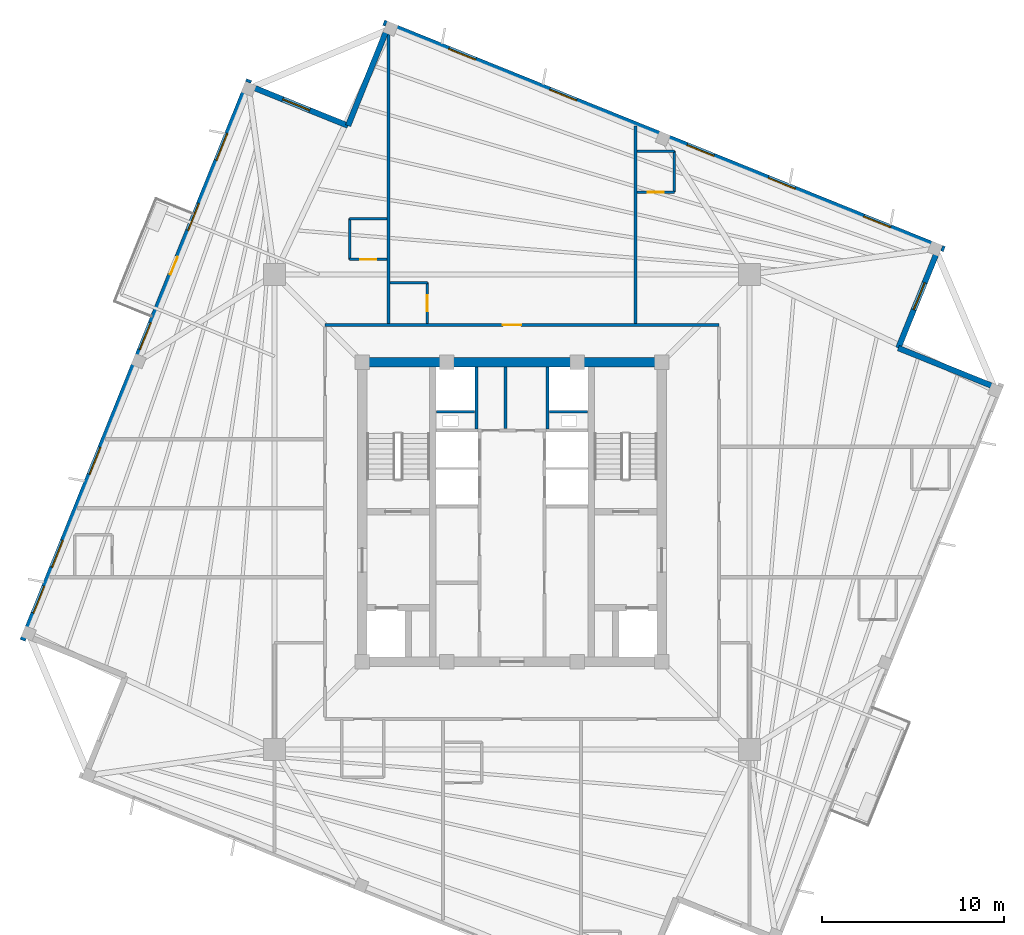
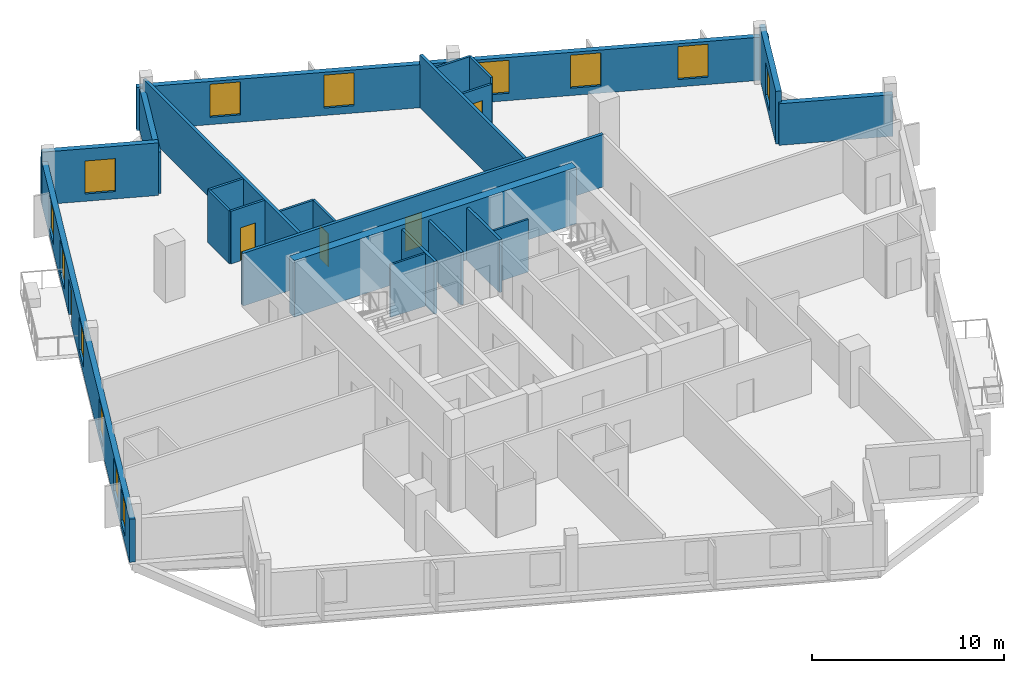
# One storey, part 5 of 9: 23 walls, 13 windows, 5 doors, 18 openings.
"""IFC4 building model written with IfcOpenShell, lengths in metres."""

from ifc_helpers import new_model, si_unit, direction, frame, frame_2d, origin, place, context, subcontext, project, spatial, rectangle, extrude, source, transform, mapped, material, layer, layer_set, type_object, element, fill, save


model = new_model("IFC4")

# Units and contexts
model_context = context("Model", 3, precision=1e-05, world=origin(), true_north=direction((0.0, 1.0)))
body_context = subcontext(model_context, "Body", "Model", "MODEL_VIEW")
ifc_project = project(units=[si_unit("LENGTHUNIT", "METRE"), si_unit("AREAUNIT", "SQUARE_METRE"), si_unit("VOLUMEUNIT", "CUBIC_METRE"), si_unit("PLANEANGLEUNIT", "RADIAN"), si_unit("MASSUNIT", "GRAM", prefix="KILO"), si_unit("THERMODYNAMICTEMPERATUREUNIT", "KELVIN")], contexts=[model_context])

# Site, building, storey
site_placement = place(None, origin())
site = spatial("IfcSite", under=ifc_project, at=site_placement, CompositionType="ELEMENT")
building_placement = place(site_placement, origin())
building = spatial("IfcBuilding", under=site, at=building_placement, Name="Kosmvard Interchange Tower", CompositionType="ELEMENT")
storey_placement = place(building_placement, frame((0.0, 0.0, 272.39990234375)))
storey = spatial("IfcBuildingStorey", under=building, at=storey_placement, Name="L66", CompositionType="ELEMENT", Elevation=272.39990234375)

# Walls
ifc_material_1 = material(Name="Fire-rated gypsum partition system")
ifc_layer_1 = layer(ifc_material_1, 0.159912109375, Name="Fire-rated gypsum partition system")
ifc_layer_set_1 = layer_set([ifc_layer_1], Name="Fire-rated gypsum partition system")
wall_type_1 = type_object("IfcWallType", Name="Core Compartment & Shuttle Lobby Partition 160", PredefinedType="PARTITIONING", material=ifc_layer_set_1)
for number, where, z_axis, x_axis, name in (
    (1, (-1.9599609375, 4.580078125, 0.0), (0.0, 0.0, 1.0), (0.0, 1.0, 0.0), "L66 North Core West Wall"),
    (2, (1.9599609375, 4.580078125, 0.0), (0.0, 0.0, 1.0), (0.0, 1.0, 0.0), "L66 North Core East Wall"),
):
    element("IfcWall", number, at=place(storey_placement, frame(where, z_axis=z_axis, x_axis=x_axis)), inside=storey, type_object=wall_type_1, Name=name, PredefinedType="PARTITIONING", context=body_context, shape_type="SweptSolid", body=[
        extrude(rectangle(XDim=3.39990234375, YDim=0.159912109375, at=frame_2d((1.699951171875, 0.0))), origin(), (0.0, 0.0, 1.0), 3.35009765625),
    ])
ifc_material_2 = material(Name="Concrete blockwork masonry", Category="masonry")
ifc_layer_2 = layer(ifc_material_2, 0.159912109375, Name="Concrete blockwork masonry")
ifc_layer_set_2 = layer_set([ifc_layer_2], Name="Concrete blockwork masonry")
wall_type_2 = type_object("IfcWallType", Name="Core Enclosure Split Wall 160", PredefinedType="PARTITIONING", material=ifc_layer_set_2)
wall_1_placement = place(storey_placement, frame((-0.35009765625, 4.60009765625, 0.0), z_axis=(0.0, 0.0, 1.0), x_axis=(0.0, 1.0, 0.0)))
element("IfcWall", 3, at=wall_1_placement, inside=storey, type_object=wall_type_2, Name="L66 Core K2 Split Wall", PredefinedType="PARTITIONING", context=body_context, shape_type="SweptSolid", body=[
    extrude(rectangle(XDim=3.3798828125, YDim=0.159912109375, at=frame_2d((1.68994140625, 0.0))), origin(), (0.0, 0.0, 1.0), 3.35009765625),
])

# Wall, opening, door
ifc_layer_3 = layer(ifc_material_1, 0.179931640625, Name="Fire-rated gypsum partition system")
ifc_layer_set_3 = layer_set([ifc_layer_3], Name="Fire-rated gypsum partition system")
wall_type_3 = type_object("IfcWallType", Name="Corridor & Hotel Compartment Partition 180", PredefinedType="PARTITIONING", material=ifc_layer_set_3)
wall_2_placement = place(storey_placement, frame((-10.300048828125, 10.300048828125, 0.0), z_axis=(0.0, 0.0, 1.0), x_axis=(1.0, 0.0, 0.0)))
wall_2 = element("IfcWall", 4, at=wall_2_placement, inside=storey, type_object=wall_type_3, Name="L66 Corridor Wall CN", PredefinedType="PARTITIONING", context=body_context, shape_type="SweptSolid", body=[
    extrude(rectangle(XDim=21.699951171875, YDim=0.179931640625, at=frame_2d((10.85009765625, 0.0))), origin(), (0.0, 0.0, 1.0), 3.35009765625),
])
opening_1_placement = place(wall_2_placement, frame((9.800048828125, 0.0, 0.0)))
opening_1 = element("IfcOpeningElement", 5, at=opening_1_placement, cuts=wall_2, Name="Opening L66-D05", PredefinedType="OPENING", context=body_context, shape_type="SweptSolid", body=[
    extrude(rectangle(XDim=1.0, YDim=2.14990234375, at=frame_2d((0.5, 1.074951171875))), frame((0.0, 0.10009765625, 0.0), z_axis=(0.0, -1.0, 0.0), x_axis=(1.0, 0.0, 0.0)), (0.0, 0.0, 1.0), 0.199951171875),
])
ifc_material_3 = material(Name="Engineered oak fire-rated timber", Category="wood")
door_type_1 = type_object("IfcDoorType", Name="Hotel Guestroom Entrance Door 1000x2150 EI60", OperationType="NOTDEFINED", PredefinedType="DOOR", material=ifc_material_3)
shared_shape_1 = source(origin(), body_context, "Body", "SweptSolid", [
    extrude(rectangle(XDim=1.0, YDim=2.14990234375, at=frame_2d((0.5, 1.074951171875))), frame((0.0, 0.02490234375, 0.0), z_axis=(0.0, -1.0, 0.0), x_axis=(1.0, 0.0, 0.0)), (0.0, 0.0, 1.0), 0.050048828125),
])
door_1_placement = place(opening_1_placement, origin())
door_1 = element("IfcDoor", 6, at=door_1_placement, inside=storey, type_object=door_type_1, Name="L66 Hotel Twin Junior Suite 1 Door", OperationType="SINGLE_SWING_LEFT", OverallHeight=2.14990234375, OverallWidth=1.0, PredefinedType="DOOR", context=body_context, shape_type="MappedRepresentation", body=[
    mapped(shared_shape_1, transform((0.0, 0.0, 0.0), scale=1.0)),
])
fill(opening_1, door_1)

# Walls
wall_3_placement = place(storey_placement, frame((-6.800048828125, 10.39501953125, 0.0), z_axis=(0.0, 0.0, 1.0), x_axis=(0.0, 1.0, 0.0)))
element("IfcWall", 7, at=wall_3_placement, inside=storey, type_object=wall_type_3, Name="L66 Room Partition 01.1", PredefinedType="PARTITIONING", context=body_context, shape_type="SweptSolid", body=[
    extrude(rectangle(XDim=16.16650390625, YDim=0.179931640625, at=frame_2d((8.083251953125, 0.0))), origin(), (0.0, 0.0, 1.0), 3.35009765625),
])
wall_4_placement = place(storey_placement, frame((6.800048828125, 10.39501953125, 0.0), z_axis=(0.0, 0.0, 1.0), x_axis=(0.0, 1.0, 0.0)))
element("IfcWall", 8, at=wall_4_placement, inside=storey, type_object=wall_type_3, Name="L66 Room Partition 02.1", PredefinedType="PARTITIONING", context=body_context, shape_type="SweptSolid", body=[
    extrude(rectangle(XDim=10.8603515625, YDim=0.179931640625, at=frame_2d((5.43017578125, 0.0))), origin(), (0.0, 0.0, 1.0), 3.35009765625),
])
ifc_material_4 = material(Name="Fire-rated gypsum shaftwall system")
ifc_layer_4 = layer(ifc_material_4, 0.1201171875, Name="Fire-rated gypsum shaftwall system")
ifc_layer_set_4 = layer_set([ifc_layer_4], Name="Fire-rated gypsum shaftwall system")
wall_type_4 = type_object("IfcWallType", Name="Shaft & Riser Fire Partition 120 EI60", PredefinedType="PARTITIONING", material=ifc_layer_set_4)
for number, where, z_axis, x_axis, name in (
    (9, (-4.159912109375, 5.52001953125, 0.0), (0.0, 0.0, 1.0), (1.0, 0.0, 0.0), "L66 Riser Shaft Divider W"),
    (10, (2.06005859375, 5.52001953125, 0.0), (0.0, 0.0, 1.0), (1.0, 0.0, 0.0), "L66 Riser Shaft Divider E"),
):
    element("IfcWall", number, at=place(storey_placement, frame(where, z_axis=z_axis, x_axis=x_axis)), inside=storey, type_object=wall_type_4, Name=name, PredefinedType="PARTITIONING", context=body_context, shape_type="SweptSolid", body=[
        extrude(rectangle(XDim=2.099853515625, YDim=0.1201171875, at=frame_2d((1.0498046875, 0.0))), origin(), (0.0, 0.0, 1.0), 3.35009765625),
    ])
ifc_material_5 = material(Name="Concrete C60/75", Category="concrete")
ifc_layer_5 = layer(ifc_material_5, 0.5, Name="Concrete C60/75")
ifc_layer_set_5 = layer_set([ifc_layer_5], Name="Concrete C60/75")
wall_type_5 = type_object("IfcWallType", Name="Upper Core Shear Wall 500 C60/75", PredefinedType="SHEAR", material=ifc_layer_set_5)
wall_5_placement = place(storey_placement, frame((-8.5, 8.25, 0.0), z_axis=(0.0, 0.0, 1.0), x_axis=(1.0, 0.0, 0.0)))
element("IfcWall", 11, at=wall_5_placement, inside=storey, type_object=wall_type_5, Name="L66 Core Shear Wall CW-N", PredefinedType="SHEAR", context=body_context, shape_type="SweptSolid", body=[
    extrude(rectangle(XDim=17.0, YDim=0.5, at=frame_2d((8.5, 0.0))), origin(), (0.0, 0.0, 1.0), 3.60009765625),
])
ifc_material_6 = material(Name="Precast concrete C45/55", Category="concrete")
ifc_layer_6 = layer(ifc_material_6, 0.31005859375, Name="Precast concrete C45/55")
ifc_layer_set_6 = layer_set([ifc_layer_6], Name="Precast concrete C45/55")
wall_type_6 = type_object("IfcWallType", Name="Upper Tower Precast Pier Wall 310 C45/55", PredefinedType="STANDARD", material=ifc_layer_set_6)
wall_6_placement = place(storey_placement, frame((26.8408203125, 6.7841796875, 0.0), z_axis=(0.0, 0.0, 1.0), x_axis=(-0.927171722085, 0.374636620962, 0.0)))
element("IfcWall", 12, at=wall_6_placement, inside=storey, type_object=wall_type_6, Name="L66 Precast Facade Wall N-SE1", PredefinedType="STANDARD", context=body_context, shape_type="SweptSolid", body=[
    extrude(rectangle(XDim=6.0, YDim=0.31005859375, at=frame_2d((3.0, 0.0))), origin(), (0.0, 0.0, 1.0), 2.650146484375),
])

# Wall, opening, window
wall_7_placement = place(storey_placement, frame((21.27783203125, 9.031982421875, 0.0), z_axis=(0.0, 0.0, 1.0), x_axis=(0.374602739196, 0.927185411764, 0.0)))
wall_7 = element("IfcWall", 13, at=wall_7_placement, inside=storey, type_object=wall_type_6, Name="L66 Precast Facade Wall N-SE2", PredefinedType="STANDARD", context=body_context, shape_type="SweptSolid", body=[
    extrude(rectangle(XDim=6.155029296875, YDim=0.31005859375, at=frame_2d((3.07763671875, 0.0))), origin(), (0.0, 0.0, 1.0), 3.35009765625),
])
opening_2_placement = place(wall_7_placement, frame((2.277587890625, 0.0, 0.469970703125)))
opening_2 = element("IfcOpeningElement", 14, at=opening_2_placement, cuts=wall_7, Name="Opening L66-W21", PredefinedType="OPENING", context=body_context, shape_type="SweptSolid", body=[
    extrude(rectangle(XDim=1.60009765625, YDim=2.10009765625, at=frame_2d((0.800048828125, 1.050048828125))), frame((0.0, 0.1650390625, 0.0), z_axis=(0.0, -1.0, 0.0), x_axis=(1.0, 0.0, 0.0)), (0.0, 0.0, 1.0), 0.330078125),
])
ifc_material_7 = material(Name="Low-E acoustic double glazing", Category="glass")
window_type = type_object("IfcWindowType", Name="Zone 5 Hotel Punched Window 1600x2100", PartitioningType="SINGLE_PANEL", PredefinedType="WINDOW", material=ifc_material_7)
shared_shape_2 = source(origin(), body_context, "Body", "SweptSolid", [
    extrude(rectangle(XDim=1.60009765625, YDim=2.10009765625, at=frame_2d((0.800048828125, 1.050048828125))), frame((0.0, 0.030029296875, 0.0), z_axis=(0.0, -1.0, 0.0), x_axis=(1.0, 0.0, 0.0)), (0.0, 0.0, 1.0), 0.06005859375),
])
window_1_placement = place(opening_2_placement, origin())
window_1 = element("IfcWindow", 15, at=window_1_placement, inside=storey, type_object=window_type, Name="L66 Corner Notch Window 21", OverallHeight=2.10009765625, OverallWidth=1.60009765625, PartitioningType="SINGLE_PANEL", PredefinedType="WINDOW", context=body_context, shape_type="MappedRepresentation", body=[
    mapped(shared_shape_2, transform((0.0, 0.0, 0.0), scale=1.0)),
])
fill(opening_2, window_1)

# Wall, openings, windows
wall_8_placement = place(storey_placement, frame((23.812744140625, 14.478759765625, 0.0), z_axis=(0.0, 0.0, 1.0), x_axis=(-0.927182657188, 0.374609557019, 0.0)))
wall_8 = element("IfcWall", 16, at=wall_8_placement, inside=storey, type_object=wall_type_6, Name="L66 Precast Facade Wall F-E", PredefinedType="STANDARD", context=body_context, shape_type="SweptSolid", body=[
    extrude(rectangle(XDim=33.31005859375, YDim=0.31005859375, at=frame_2d((16.655029296875, 0.0))), origin(), (0.0, 0.0, 1.0), 2.75),
])
opening_3_placement = place(wall_8_placement, frame((3.197265625, 0.0, 0.469970703125)))
opening_3 = element("IfcOpeningElement", 17, at=opening_3_placement, cuts=wall_8, Name="Opening L66-W06", PredefinedType="OPENING", context=body_context, shape_type="SweptSolid", body=[
    extrude(rectangle(XDim=1.60009765625, YDim=2.10009765625, at=frame_2d((0.800048828125, 1.050048828125))), frame((0.0, 0.1650390625, 0.0), z_axis=(0.0, -1.0, 0.0), x_axis=(1.0, 0.0, 0.0)), (0.0, 0.0, 1.0), 0.330078125),
])
opening_4_placement = place(wall_8_placement, frame((8.85986328125, 0.0, 0.469970703125)))
opening_4 = element("IfcOpeningElement", 18, at=opening_4_placement, cuts=wall_8, Name="Opening L66-W07", PredefinedType="OPENING", context=body_context, shape_type="SweptSolid", body=[
    extrude(rectangle(XDim=1.60009765625, YDim=2.10009765625, at=frame_2d((0.800048828125, 1.050048828125))), frame((0.0, 0.1650390625, 0.0), z_axis=(0.0, -1.0, 0.0), x_axis=(1.0, 0.0, 0.0)), (0.0, 0.0, 1.0), 0.330078125),
])
opening_5_placement = place(wall_8_placement, frame((13.688720703125, 0.0, 0.469970703125)))
opening_5 = element("IfcOpeningElement", 19, at=opening_5_placement, cuts=wall_8, Name="Opening L66-W08", PredefinedType="OPENING", context=body_context, shape_type="SweptSolid", body=[
    extrude(rectangle(XDim=1.60009765625, YDim=2.10009765625, at=frame_2d((0.800048828125, 1.050048828125))), frame((0.0, 0.1650390625, 0.0), z_axis=(0.0, -1.0, 0.0), x_axis=(1.0, 0.0, 0.0)), (0.0, 0.0, 1.0), 0.330078125),
])
opening_6_placement = place(wall_8_placement, frame((21.850830078125, 0.0, 0.469970703125)))
opening_6 = element("IfcOpeningElement", 20, at=opening_6_placement, cuts=wall_8, Name="Opening L66-W09", PredefinedType="OPENING", context=body_context, shape_type="SweptSolid", body=[
    extrude(rectangle(XDim=1.60009765625, YDim=2.10009765625, at=frame_2d((0.800048828125, 1.050048828125))), frame((0.0, 0.1650390625, 0.0), z_axis=(0.0, -1.0, 0.0), x_axis=(1.0, 0.0, 0.0)), (0.0, 0.0, 1.0), 0.330078125),
])
opening_7_placement = place(wall_8_placement, frame((27.8466796875, 0.0, 0.469970703125)))
opening_7 = element("IfcOpeningElement", 21, at=opening_7_placement, cuts=wall_8, Name="Opening L66-W10", PredefinedType="OPENING", context=body_context, shape_type="SweptSolid", body=[
    extrude(rectangle(XDim=1.60009765625, YDim=2.10009765625, at=frame_2d((0.800048828125, 1.050048828125))), frame((0.0, 0.1650390625, 0.0), z_axis=(0.0, -1.0, 0.0), x_axis=(1.0, 0.0, 0.0)), (0.0, 0.0, 1.0), 0.330078125),
])
window_2_placement = place(opening_3_placement, origin())
window_2 = element("IfcWindow", 22, at=window_2_placement, inside=storey, type_object=window_type, Name="L66 Facade Punched Window 06", OverallHeight=2.10009765625, OverallWidth=1.60009765625, PartitioningType="SINGLE_PANEL", PredefinedType="WINDOW", context=body_context, shape_type="MappedRepresentation", body=[
    mapped(shared_shape_2, transform((0.0, 0.0, 0.0), scale=1.0)),
])
fill(opening_3, window_2)
window_3_placement = place(opening_4_placement, origin())
window_3 = element("IfcWindow", 23, at=window_3_placement, inside=storey, type_object=window_type, Name="L66 Facade Punched Window 07", OverallHeight=2.10009765625, OverallWidth=1.60009765625, PartitioningType="SINGLE_PANEL", PredefinedType="WINDOW", context=body_context, shape_type="MappedRepresentation", body=[
    mapped(shared_shape_2, transform((0.0, 0.0, 0.0), scale=1.0)),
])
fill(opening_4, window_3)
window_4_placement = place(opening_5_placement, origin())
window_4 = element("IfcWindow", 24, at=window_4_placement, inside=storey, type_object=window_type, Name="L66 Facade Punched Window 08", OverallHeight=2.10009765625, OverallWidth=1.60009765625, PartitioningType="SINGLE_PANEL", PredefinedType="WINDOW", context=body_context, shape_type="MappedRepresentation", body=[
    mapped(shared_shape_2, transform((0.0, 0.0, 0.0), scale=1.0)),
])
fill(opening_5, window_4)
window_5_placement = place(opening_6_placement, origin())
window_5 = element("IfcWindow", 25, at=window_5_placement, inside=storey, type_object=window_type, Name="L66 Facade Punched Window 09", OverallHeight=2.10009765625, OverallWidth=1.60009765625, PartitioningType="SINGLE_PANEL", PredefinedType="WINDOW", context=body_context, shape_type="MappedRepresentation", body=[
    mapped(shared_shape_2, transform((0.0, 0.0, 0.0), scale=1.0)),
])
fill(opening_6, window_5)
window_6_placement = place(opening_7_placement, origin())
window_6 = element("IfcWindow", 26, at=window_6_placement, inside=storey, type_object=window_type, Name="L66 Facade Punched Window 10", OverallHeight=2.10009765625, OverallWidth=1.60009765625, PartitioningType="SINGLE_PANEL", PredefinedType="WINDOW", context=body_context, shape_type="MappedRepresentation", body=[
    mapped(shared_shape_2, transform((0.0, 0.0, 0.0), scale=1.0)),
])
fill(opening_7, window_6)

# Wall
wall_9_placement = place(storey_placement, frame((-6.7841796875, 26.8408203125, 0.0), z_axis=(0.0, 0.0, 1.0), x_axis=(-0.374636620962, -0.927171722085, 0.0)))
element("IfcWall", 27, at=wall_9_placement, inside=storey, type_object=wall_type_6, Name="L66 Precast Facade Wall N-NE1", PredefinedType="STANDARD", context=body_context, shape_type="SweptSolid", body=[
    extrude(rectangle(XDim=6.0, YDim=0.31005859375, at=frame_2d((3.0, 0.0))), origin(), (0.0, 0.0, 1.0), 2.650146484375),
])

# Wall, opening, window
wall_10_placement = place(storey_placement, frame((-9.031982421875, 21.27783203125, 0.0), z_axis=(0.0, 0.0, 1.0), x_axis=(-0.927185411764, 0.374602739196, 0.0)))
wall_10 = element("IfcWall", 28, at=wall_10_placement, inside=storey, type_object=wall_type_6, Name="L66 Precast Facade Wall N-NE2", PredefinedType="STANDARD", context=body_context, shape_type="SweptSolid", body=[
    extrude(rectangle(XDim=6.155029296875, YDim=0.31005859375, at=frame_2d((3.07763671875, 0.0))), origin(), (0.0, 0.0, 1.0), 3.35009765625),
])
opening_8_placement = place(wall_10_placement, frame((2.277587890625, 0.0, 0.469970703125)))
opening_8 = element("IfcOpeningElement", 29, at=opening_8_placement, cuts=wall_10, Name="Opening L66-W22", PredefinedType="OPENING", context=body_context, shape_type="SweptSolid", body=[
    extrude(rectangle(XDim=1.60009765625, YDim=2.10009765625, at=frame_2d((0.800048828125, 1.050048828125))), frame((0.0, 0.1650390625, 0.0), z_axis=(0.0, -1.0, 0.0), x_axis=(1.0, 0.0, 0.0)), (0.0, 0.0, 1.0), 0.330078125),
])
window_7_placement = place(opening_8_placement, origin())
window_7 = element("IfcWindow", 30, at=window_7_placement, inside=storey, type_object=window_type, Name="L66 Corner Notch Window 22", OverallHeight=2.10009765625, OverallWidth=1.60009765625, PartitioningType="SINGLE_PANEL", PredefinedType="WINDOW", context=body_context, shape_type="MappedRepresentation", body=[
    mapped(shared_shape_2, transform((0.0, 0.0, 0.0), scale=1.0)),
])
fill(opening_8, window_7)

# Wall, openings, door, windows
wall_11_placement = place(storey_placement, frame((-14.478759765625, 23.812744140625, 0.0), z_axis=(0.0, 0.0, 1.0), x_axis=(-0.374609557019, -0.927182657188, 0.0)))
wall_11 = element("IfcWall", 31, at=wall_11_placement, inside=storey, type_object=wall_type_6, Name="L66 Precast Facade Wall F-N", PredefinedType="STANDARD", context=body_context, shape_type="SweptSolid", body=[
    extrude(rectangle(XDim=33.31005859375, YDim=0.31005859375, at=frame_2d((16.655029296875, 0.0))), origin(), (0.0, 0.0, 1.0), 2.75),
])
opening_9_placement = place(wall_11_placement, frame((10.530029296875, 0.0, 0.0)))
opening_9 = element("IfcOpeningElement", 32, at=opening_9_placement, cuts=wall_11, Name="Opening L66-BDN", PredefinedType="OPENING", context=body_context, shape_type="SweptSolid", body=[
    extrude(rectangle(XDim=1.050048828125, YDim=2.25, at=frame_2d((0.52490234375, 1.125))), frame((0.0, 0.1650390625, 0.0), z_axis=(0.0, -1.0, 0.0), x_axis=(1.0, 0.0, 0.0)), (0.0, 0.0, 1.0), 0.330078125),
])
opening_10_placement = place(wall_11_placement, frame((3.197265625, 0.0, 0.469970703125)))
opening_10 = element("IfcOpeningElement", 33, at=opening_10_placement, cuts=wall_11, Name="Opening L66-W11", PredefinedType="OPENING", context=body_context, shape_type="SweptSolid", body=[
    extrude(rectangle(XDim=1.60009765625, YDim=2.10009765625, at=frame_2d((0.800048828125, 1.050048828125))), frame((0.0, 0.1650390625, 0.0), z_axis=(0.0, -1.0, 0.0), x_axis=(1.0, 0.0, 0.0)), (0.0, 0.0, 1.0), 0.330078125),
])
opening_11_placement = place(wall_11_placement, frame((7.35986328125, 0.0, 0.469970703125)))
opening_11 = element("IfcOpeningElement", 34, at=opening_11_placement, cuts=wall_11, Name="Opening L66-W12", PredefinedType="OPENING", context=body_context, shape_type="SweptSolid", body=[
    extrude(rectangle(XDim=1.60009765625, YDim=2.10009765625, at=frame_2d((0.800048828125, 1.050048828125))), frame((0.0, 0.1650390625, 0.0), z_axis=(0.0, -1.0, 0.0), x_axis=(1.0, 0.0, 0.0)), (0.0, 0.0, 1.0), 0.330078125),
])
opening_12_placement = place(wall_11_placement, frame((14.438720703125, 0.0, 0.469970703125)))
opening_12 = element("IfcOpeningElement", 35, at=opening_12_placement, cuts=wall_11, Name="Opening L66-W13", PredefinedType="OPENING", context=body_context, shape_type="SweptSolid", body=[
    extrude(rectangle(XDim=1.60009765625, YDim=2.10009765625, at=frame_2d((0.800048828125, 1.050048828125))), frame((0.0, 0.1650390625, 0.0), z_axis=(0.0, -1.0, 0.0), x_axis=(1.0, 0.0, 0.0)), (0.0, 0.0, 1.0), 0.330078125),
])
opening_13_placement = place(wall_11_placement, frame((21.850830078125, 0.0, 0.469970703125)))
opening_13 = element("IfcOpeningElement", 36, at=opening_13_placement, cuts=wall_11, Name="Opening L66-W14", PredefinedType="OPENING", context=body_context, shape_type="SweptSolid", body=[
    extrude(rectangle(XDim=1.60009765625, YDim=2.10009765625, at=frame_2d((0.800048828125, 1.050048828125))), frame((0.0, 0.1650390625, 0.0), z_axis=(0.0, -1.0, 0.0), x_axis=(1.0, 0.0, 0.0)), (0.0, 0.0, 1.0), 0.330078125),
])
opening_14_placement = place(wall_11_placement, frame((30.0966796875, 0.0, 0.469970703125)))
opening_14 = element("IfcOpeningElement", 37, at=opening_14_placement, cuts=wall_11, Name="Opening L66-W15", PredefinedType="OPENING", context=body_context, shape_type="SweptSolid", body=[
    extrude(rectangle(XDim=1.60009765625, YDim=2.10009765625, at=frame_2d((0.800048828125, 1.050048828125))), frame((0.0, 0.1650390625, 0.0), z_axis=(0.0, -1.0, 0.0), x_axis=(1.0, 0.0, 0.0)), (0.0, 0.0, 1.0), 0.330078125),
])
opening_15_placement = place(wall_11_placement, frame((27.374267578125, 0.0, 0.469970703125)))
opening_15 = element("IfcOpeningElement", 38, at=opening_15_placement, cuts=wall_11, Name="Opening L66-DW25", PredefinedType="OPENING", context=body_context, shape_type="SweptSolid", body=[
    extrude(rectangle(XDim=1.60009765625, YDim=2.10009765625, at=frame_2d((0.800048828125, 1.050048828125))), frame((0.0, 0.1650390625, 0.0), z_axis=(0.0, -1.0, 0.0), x_axis=(1.0, 0.0, 0.0)), (0.0, 0.0, 1.0), 0.330078125),
])
ifc_material_8 = material(Name="Anodised aluminium and safety glass", Category="aluminium")
door_type_2 = type_object("IfcDoorType", Name="Tree-Balcony Glazed Door 1050x2250", OperationType="NOTDEFINED", PredefinedType="DOOR", material=ifc_material_8)
shared_shape_3 = source(origin(), body_context, "Body", "SweptSolid", [
    extrude(rectangle(XDim=1.050048828125, YDim=2.25, at=frame_2d((0.52490234375, 1.125))), frame((0.0, 0.02490234375, 0.0), z_axis=(0.0, -1.0, 0.0), x_axis=(1.0, 0.0, 0.0)), (0.0, 0.0, 1.0), 0.050048828125),
])
door_2_placement = place(opening_9_placement, origin())
door_2 = element("IfcDoor", 39, at=door_2_placement, inside=storey, type_object=door_type_2, Name="L66 Tree-Balcony Door BAL-L66-N", OperationType="SINGLE_SWING_LEFT", OverallHeight=2.25, OverallWidth=1.050048828125, PredefinedType="DOOR", context=body_context, shape_type="MappedRepresentation", body=[
    mapped(shared_shape_3, transform((0.0, 0.0, 0.0), scale=1.0)),
])
fill(opening_9, door_2)
window_8_placement = place(opening_10_placement, origin())
window_8 = element("IfcWindow", 40, at=window_8_placement, inside=storey, type_object=window_type, Name="L66 Facade Punched Window 11", OverallHeight=2.10009765625, OverallWidth=1.60009765625, PartitioningType="SINGLE_PANEL", PredefinedType="WINDOW", context=body_context, shape_type="MappedRepresentation", body=[
    mapped(shared_shape_2, transform((0.0, 0.0, 0.0), scale=1.0)),
])
fill(opening_10, window_8)
window_9_placement = place(opening_11_placement, origin())
window_9 = element("IfcWindow", 41, at=window_9_placement, inside=storey, type_object=window_type, Name="L66 Facade Punched Window 12", OverallHeight=2.10009765625, OverallWidth=1.60009765625, PartitioningType="SINGLE_PANEL", PredefinedType="WINDOW", context=body_context, shape_type="MappedRepresentation", body=[
    mapped(shared_shape_2, transform((0.0, 0.0, 0.0), scale=1.0)),
])
fill(opening_11, window_9)
window_10_placement = place(opening_12_placement, origin())
window_10 = element("IfcWindow", 42, at=window_10_placement, inside=storey, type_object=window_type, Name="L66 Facade Punched Window 13", OverallHeight=2.10009765625, OverallWidth=1.60009765625, PartitioningType="SINGLE_PANEL", PredefinedType="WINDOW", context=body_context, shape_type="MappedRepresentation", body=[
    mapped(shared_shape_2, transform((0.0, 0.0, 0.0), scale=1.0)),
])
fill(opening_12, window_10)
window_11_placement = place(opening_13_placement, origin())
window_11 = element("IfcWindow", 43, at=window_11_placement, inside=storey, type_object=window_type, Name="L66 Facade Punched Window 14", OverallHeight=2.10009765625, OverallWidth=1.60009765625, PartitioningType="SINGLE_PANEL", PredefinedType="WINDOW", context=body_context, shape_type="MappedRepresentation", body=[
    mapped(shared_shape_2, transform((0.0, 0.0, 0.0), scale=1.0)),
])
fill(opening_13, window_11)
window_12_placement = place(opening_14_placement, origin())
window_12 = element("IfcWindow", 44, at=window_12_placement, inside=storey, type_object=window_type, Name="L66 Facade Punched Window 15", OverallHeight=2.10009765625, OverallWidth=1.60009765625, PartitioningType="SINGLE_PANEL", PredefinedType="WINDOW", context=body_context, shape_type="MappedRepresentation", body=[
    mapped(shared_shape_2, transform((0.0, 0.0, 0.0), scale=1.0)),
])
fill(opening_14, window_12)
window_13_placement = place(opening_15_placement, origin())
window_13 = element("IfcWindow", 45, at=window_13_placement, inside=storey, type_object=window_type, Name="L66 Guest Room Punched Window 25", OverallHeight=2.10009765625, OverallWidth=1.60009765625, PartitioningType="SINGLE_PANEL", PredefinedType="WINDOW", context=body_context, shape_type="MappedRepresentation", body=[
    mapped(shared_shape_2, transform((0.0, 0.0, 0.0), scale=1.0)),
])
fill(opening_15, window_13)

# Wall, opening, door
ifc_material_9 = material(Name="Moisture-resistant gypsum partition")
ifc_layer_7 = layer(ifc_material_9, 0.135009765625, Name="Moisture-resistant gypsum partition")
ifc_layer_set_7 = layer_set([ifc_layer_7], Name="Moisture-resistant gypsum partition")
wall_type_7 = type_object("IfcWallType", Name="Wet Room Moisture-Resistant Partition 135", PredefinedType="PARTITIONING", material=ifc_layer_set_7)
wall_12_placement = place(storey_placement, frame((-8.93994140625, 13.909912109375, 0.0), z_axis=(0.0, 0.0, 1.0), x_axis=(1.0, 0.0, 0.0)))
wall_12 = element("IfcWall", 46, at=wall_12_placement, inside=storey, type_object=wall_type_7, Name="L66 En-Suite Partition HCS1-S", PredefinedType="PARTITIONING", context=body_context, shape_type="SweptSolid", body=[
    extrude(rectangle(XDim=2.050048828125, YDim=0.135009765625, at=frame_2d((1.02490234375, 0.0))), origin(), (0.0, 0.0, 1.0), 3.35009765625),
])
opening_16_placement = place(wall_12_placement, frame((0.5849609375, 0.0, 0.0)))
opening_16 = element("IfcOpeningElement", 47, at=opening_16_placement, cuts=wall_12, Name="Opening L66-ED04", PredefinedType="OPENING", context=body_context, shape_type="SweptSolid", body=[
    extrude(rectangle(XDim=0.8798828125, YDim=2.10009765625, at=frame_2d((0.43994140625, 1.050048828125))), frame((0.0, 0.07763671875, 0.0), z_axis=(0.0, -1.0, 0.0), x_axis=(1.0, 0.0, 0.0)), (0.0, 0.0, 1.0), 0.155029296875),
])
ifc_material_10 = material(Name="Laminated moisture-resistant timber", Category="wood")
door_type_3 = type_object("IfcDoorType", Name="En-Suite & Washroom Door 880x2100", OperationType="NOTDEFINED", PredefinedType="DOOR", material=ifc_material_10)
shared_shape_4 = source(origin(), body_context, "Body", "SweptSolid", [
    extrude(rectangle(XDim=0.8798828125, YDim=2.10009765625, at=frame_2d((0.43994140625, 1.050048828125))), frame((0.0, 0.02490234375, 0.0), z_axis=(0.0, -1.0, 0.0), x_axis=(1.0, 0.0, 0.0)), (0.0, 0.0, 1.0), 0.050048828125),
])
door_3_placement = place(opening_16_placement, origin())
door_3 = element("IfcDoor", 48, at=door_3_placement, inside=storey, type_object=door_type_3, Name="L66 HCS1 En-Suite Door", OperationType="SINGLE_SWING_LEFT", OverallHeight=2.10009765625, OverallWidth=0.8798828125, PredefinedType="DOOR", context=body_context, shape_type="MappedRepresentation", body=[
    mapped(shared_shape_4, transform((0.0, 0.0, 0.0), scale=1.0)),
])
fill(opening_16, door_3)

# Walls
wall_13_placement = place(storey_placement, frame((-8.93994140625, 16.159912109375, 0.0), z_axis=(0.0, 0.0, 1.0), x_axis=(1.0, 0.0, 0.0)))
element("IfcWall", 49, at=wall_13_placement, inside=storey, type_object=wall_type_7, Name="L66 En-Suite Partition HCS1-N", PredefinedType="PARTITIONING", context=body_context, shape_type="SweptSolid", body=[
    extrude(rectangle(XDim=2.050048828125, YDim=0.135009765625, at=frame_2d((1.02490234375, 0.0))), origin(), (0.0, 0.0, 1.0), 3.35009765625),
])
wall_14_placement = place(storey_placement, frame((-8.93994140625, 13.909912109375, 0.0), z_axis=(0.0, 0.0, 1.0), x_axis=(0.0, 1.0, 0.0)))
element("IfcWall", 50, at=wall_14_placement, inside=storey, type_object=wall_type_7, Name="L66 En-Suite Partition HCS1-W", PredefinedType="PARTITIONING", context=body_context, shape_type="SweptSolid", body=[
    extrude(rectangle(XDim=2.25, YDim=0.135009765625, at=frame_2d((1.125, 0.0))), origin(), (0.0, 0.0, 1.0), 3.35009765625),
])

# Wall, opening, door
wall_15_placement = place(storey_placement, frame((-4.659912109375, 10.385009765625, 0.0), z_axis=(0.0, 0.0, 1.0), x_axis=(0.0, 1.0, 0.0)))
wall_15 = element("IfcWall", 51, at=wall_15_placement, inside=storey, type_object=wall_type_7, Name="L66 En-Suite Partition HGR1-E", PredefinedType="PARTITIONING", context=body_context, shape_type="SweptSolid", body=[
    extrude(rectangle(XDim=2.25, YDim=0.135009765625, at=frame_2d((1.125, 0.0))), origin(), (0.0, 0.0, 1.0), 3.35009765625),
])
opening_17_placement = place(wall_15_placement, frame((0.68505859375, 0.0, 0.0)))
opening_17 = element("IfcOpeningElement", 52, at=opening_17_placement, cuts=wall_15, Name="Opening L66-ED06", PredefinedType="OPENING", context=body_context, shape_type="SweptSolid", body=[
    extrude(rectangle(XDim=0.8798828125, YDim=2.10009765625, at=frame_2d((0.43994140625, 1.050048828125))), frame((0.0, 0.07763671875, 0.0), z_axis=(0.0, -1.0, 0.0), x_axis=(1.0, 0.0, 0.0)), (0.0, 0.0, 1.0), 0.155029296875),
])
door_4_placement = place(opening_17_placement, origin())
door_4 = element("IfcDoor", 53, at=door_4_placement, inside=storey, type_object=door_type_3, Name="L66 HGR1 En-Suite Door", OperationType="SINGLE_SWING_LEFT", OverallHeight=2.10009765625, OverallWidth=0.8798828125, PredefinedType="DOOR", context=body_context, shape_type="MappedRepresentation", body=[
    mapped(shared_shape_4, transform((0.0, 0.0, 0.0), scale=1.0)),
])
fill(opening_17, door_4)

# Wall
wall_16_placement = place(storey_placement, frame((-6.7099609375, 12.635009765625, 0.0), z_axis=(0.0, 0.0, 1.0), x_axis=(1.0, 0.0, 0.0)))
element("IfcWall", 54, at=wall_16_placement, inside=storey, type_object=wall_type_7, Name="L66 En-Suite Partition HGR1-N", PredefinedType="PARTITIONING", context=body_context, shape_type="SweptSolid", body=[
    extrude(rectangle(XDim=2.050048828125, YDim=0.135009765625, at=frame_2d((1.02490234375, 0.0))), origin(), (0.0, 0.0, 1.0), 3.35009765625),
])

# Wall, opening, door
wall_17_placement = place(storey_placement, frame((6.889892578125, 17.6220703125, 0.0), z_axis=(0.0, 0.0, 1.0), x_axis=(1.0, 0.0, 0.0)))
wall_17 = element("IfcWall", 55, at=wall_17_placement, inside=storey, type_object=wall_type_7, Name="L66 En-Suite Partition HGR2-S", PredefinedType="PARTITIONING", context=body_context, shape_type="SweptSolid", body=[
    extrude(rectangle(XDim=2.050048828125, YDim=0.135009765625, at=frame_2d((1.02490234375, 0.0))), origin(), (0.0, 0.0, 1.0), 2.9501953125),
])
opening_18_placement = place(wall_17_placement, frame((0.5849609375, 0.0, 0.0)))
opening_18 = element("IfcOpeningElement", 56, at=opening_18_placement, cuts=wall_17, Name="Opening L66-ED08", PredefinedType="OPENING", context=body_context, shape_type="SweptSolid", body=[
    extrude(rectangle(XDim=0.8798828125, YDim=2.10009765625, at=frame_2d((0.43994140625, 1.050048828125))), frame((0.0, 0.07763671875, 0.0), z_axis=(0.0, -1.0, 0.0), x_axis=(1.0, 0.0, 0.0)), (0.0, 0.0, 1.0), 0.155029296875),
])
door_5_placement = place(opening_18_placement, origin())
door_5 = element("IfcDoor", 57, at=door_5_placement, inside=storey, type_object=door_type_3, Name="L66 HGR2 En-Suite Door", OperationType="SINGLE_SWING_LEFT", OverallHeight=2.10009765625, OverallWidth=0.8798828125, PredefinedType="DOOR", context=body_context, shape_type="MappedRepresentation", body=[
    mapped(shared_shape_4, transform((0.0, 0.0, 0.0), scale=1.0)),
])
fill(opening_18, door_5)

# Walls
wall_18_placement = place(storey_placement, frame((8.93994140625, 17.6220703125, 0.0), z_axis=(0.0, 0.0, 1.0), x_axis=(0.0, 1.0, 0.0)))
element("IfcWall", 58, at=wall_18_placement, inside=storey, type_object=wall_type_7, Name="L66 En-Suite Partition HGR2-E", PredefinedType="PARTITIONING", context=body_context, shape_type="SweptSolid", body=[
    extrude(rectangle(XDim=2.25, YDim=0.135009765625, at=frame_2d((1.125, 0.0))), origin(), (0.0, 0.0, 1.0), 3.35009765625),
])
wall_19_placement = place(storey_placement, frame((6.889892578125, 19.8720703125, 0.0), z_axis=(0.0, 0.0, 1.0), x_axis=(1.0, 0.0, 0.0)))
element("IfcWall", 59, at=wall_19_placement, inside=storey, type_object=wall_type_7, Name="L66 En-Suite Partition HGR2-N", PredefinedType="PARTITIONING", context=body_context, shape_type="SweptSolid", body=[
    extrude(rectangle(XDim=2.050048828125, YDim=0.135009765625, at=frame_2d((1.02490234375, 0.0))), origin(), (0.0, 0.0, 1.0), 3.35009765625),
])

save(model, "model.ifc")
